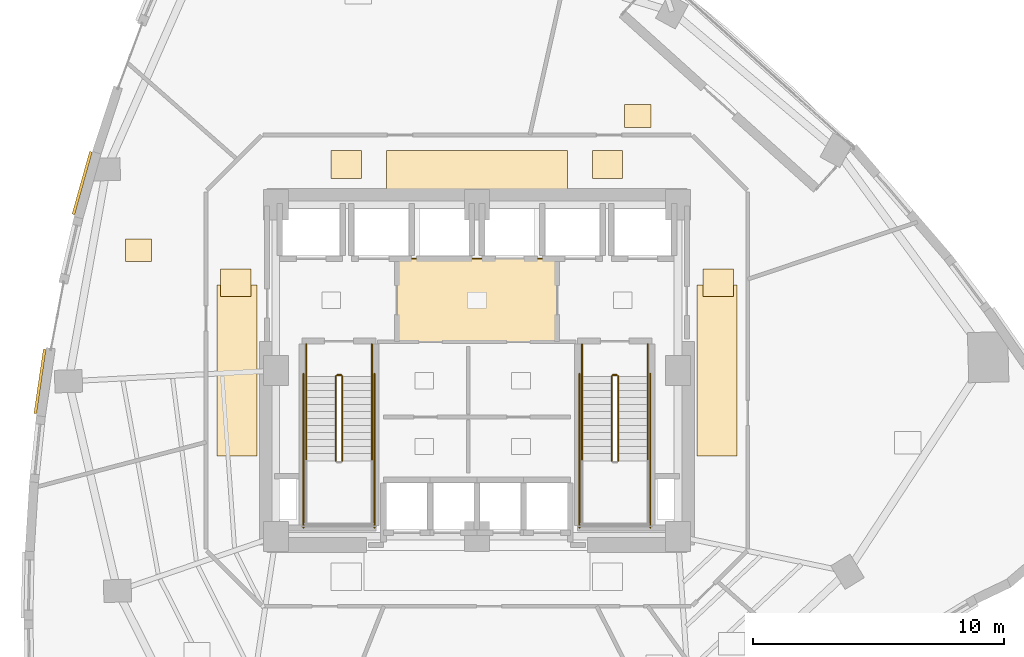
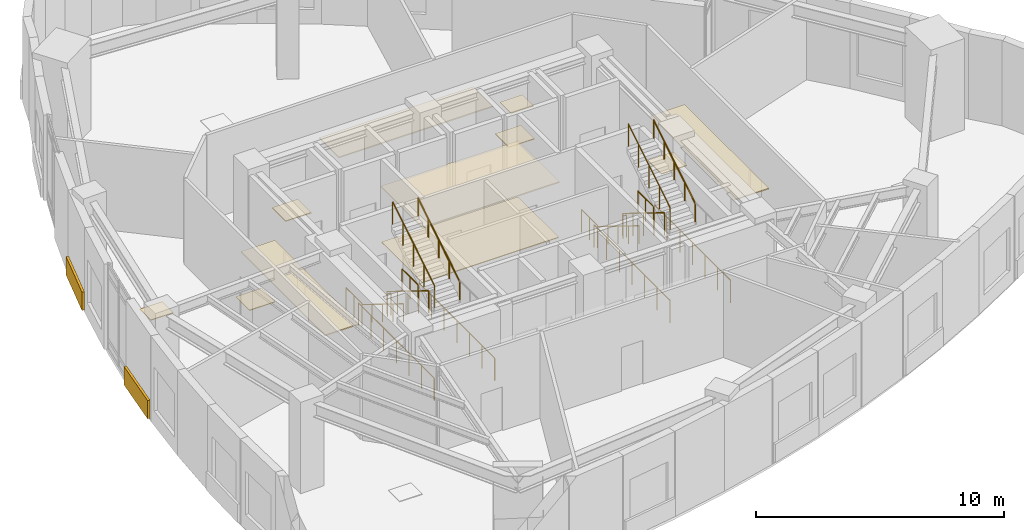
# One storey, part 18 of 19: 18 railings, 13 coverings.
"""IFC4 building model written with IfcOpenShell, lengths in metres."""

from ifc_helpers import new_model, si_unit, direction, frame, origin, origin_2d, place, context, subcontext, project, spatial, rectangle, circle, extrude, material, layer, layer_set, type_object, element, save


model = new_model("IFC4")

# Units and contexts
model_context = context("Model", 3, precision=1e-05, world=origin(), true_north=direction((0.0, 1.0)))
body_context = subcontext(model_context, "Body", "Model", "MODEL_VIEW")
ifc_project = project(units=[si_unit("LENGTHUNIT", "METRE"), si_unit("AREAUNIT", "SQUARE_METRE"), si_unit("VOLUMEUNIT", "CUBIC_METRE"), si_unit("PLANEANGLEUNIT", "RADIAN"), si_unit("MASSUNIT", "GRAM", prefix="KILO")], contexts=[model_context])

# Site, building, storey
site_placement = place(None, origin())
site = spatial("IfcSite", under=ifc_project, at=site_placement, CompositionType="ELEMENT")
building_placement = place(site_placement, origin())
building = spatial("IfcBuilding", under=site, at=building_placement, Name="Ndelora Gate Hotel", CompositionType="ELEMENT")
storey_placement = place(building_placement, frame((0.0, 0.0, 88.25)))
storey = spatial("IfcBuildingStorey", under=building, at=storey_placement, Name="L21", CompositionType="ELEMENT", Elevation=88.25)

# Coverings
ifc_material_1 = material(Name="Perforated Acoustic Gypsum Board", Category="gypsum")
ifc_layer_1 = layer(ifc_material_1, 0.054931640625)
ifc_layer_set_1 = layer_set([ifc_layer_1], Name="Perforated Acoustic Gypsum Board")
covering_type_1 = type_object("IfcCoveringType", Name="COV-CEIL-AC60", PredefinedType="CEILING", material=ifc_layer_set_1)
covering_1_placement = place(storey_placement, frame((0.0, 2.800048828125, 2.72265625), z_axis=(0.0, 0.0, 1.0), x_axis=(1.0, 0.0, 0.0)))
element("IfcCovering", 1, at=covering_1_placement, inside=storey, type_object=covering_type_1, Name="L21 Lift Lobby Acoustic Ceiling", PredefinedType="CEILING", context=body_context, shape_type="SweptSolid", body=[
    extrude(rectangle(XDim=6.39990234375, YDim=3.340087890625, at=origin_2d()), origin(), (0.0, 0.0, 1.0), 0.054931640625),
])
covering_2_placement = place(storey_placement, frame((0.0, 7.9599609375, 2.65234375), z_axis=(0.0, 0.0, 1.0), x_axis=(1.0, 0.0, 0.0)))
element("IfcCovering", 2, at=covering_2_placement, inside=storey, type_object=covering_type_1, Name="L21 Guest Corridor Acoustic Ceiling N", PredefinedType="CEILING", context=body_context, shape_type="SweptSolid", body=[
    extrude(rectangle(XDim=7.199951171875, YDim=1.580078125, at=origin_2d()), origin(), (0.0, 0.0, 1.0), 0.054931640625),
])
for number, where, z_axis, x_axis, name in (
    (3, (-9.550048828125, 0.0, 2.65234375), (0.0, 0.0, 1.0), (1.0, 0.0, 0.0), "L21 Guest Corridor Acoustic Ceiling W"),
    (4, (9.550048828125, 0.0, 2.65234375), (0.0, 0.0, 1.0), (1.0, 0.0, 0.0), "L21 Guest Corridor Acoustic Ceiling E"),
):
    element("IfcCovering", number, at=place(storey_placement, frame(where, z_axis=z_axis, x_axis=x_axis)), inside=storey, type_object=covering_type_1, Name=name, PredefinedType="CEILING", context=body_context, shape_type="SweptSolid", body=[
        extrude(rectangle(XDim=1.580078125, YDim=6.800048828125, at=origin_2d()), origin(), (0.0, 0.0, 1.0), 0.054931640625),
    ])
ifc_material_2 = material(Name="Terracotta Fired Clay Brick Slip Cladding", Category="masonry")
ifc_layer_2 = layer(ifc_material_2, 0.110107421875)
ifc_layer_set_2 = layer_set([ifc_layer_2], Name="Terracotta Fired Clay Brick Slip Cladding")
covering_type_2 = type_object("IfcCoveringType", Name="COV-CLAD-BRK", PredefinedType="CLADDING", material=ifc_layer_set_2)
for number, where, z_axis, x_axis, name in (
    (5, (-15.71240234375, 7.463134765625, 0.10009765625), (0.0, 0.0, 1.0), (0.269760236013, 0.962927523268, 0.0), "L21 Rounded-Corner Brick Cladding Band 13"),
    (6, (-17.3896484375, -0.427001953125, 0.10009765625), (0.0, 0.0, 1.0), (0.145219670077, 0.989399437751, 0.0), "L21 Rounded-Corner Brick Cladding Band 16"),
):
    element("IfcCovering", number, at=place(storey_placement, frame(where, z_axis=z_axis, x_axis=x_axis)), inside=storey, type_object=covering_type_2, Name=name, PredefinedType="CLADDING", context=body_context, shape_type="SweptSolid", body=[
        extrude(rectangle(XDim=2.583984375, YDim=0.110107421875, at=origin_2d()), origin(), (0.0, 0.0, 1.0), 0.89990234375),
    ])
ifc_material_3 = material(Name="Engineered Highland Oak Parquet", Category="wood")
ifc_layer_3 = layer(ifc_material_3, 0.030029296875)
ifc_layer_set_3 = layer_set([ifc_layer_3], Name="Engineered Highland Oak Parquet")
covering_type_3 = type_object("IfcCoveringType", Name="COV-FLR-PARQ", PredefinedType="FLOORING", material=ifc_layer_set_3)
for number, where, z_axis, x_axis, name in (
    (7, (6.4013671875, 10.13134765625, 0.0), (0.0, 0.0, 1.0), (1.0, 0.0, 0.0), "L21 Sky Garden Tea Dining Room Oak Parquet Flooring"),
    (8, (-13.468505859375, 4.79443359375, 0.0), (0.0, 0.0, 1.0), (1.0, 0.0, 0.0), "L21 Executive Transfer Office Oak Parquet Flooring"),
):
    element("IfcCovering", number, at=place(storey_placement, frame(where, z_axis=z_axis, x_axis=x_axis)), inside=storey, type_object=covering_type_3, Name=name, PredefinedType="FLOORING", context=body_context, shape_type="SweptSolid", body=[
        extrude(rectangle(XDim=1.050048828125, YDim=0.89990234375, at=origin_2d()), origin(), (0.0, 0.0, 1.0), 0.030029296875),
    ])
ifc_material_4 = material(Name="Polished Highland Stone Terrazzo", Category="masonry")
ifc_layer_4 = layer(ifc_material_4, 0.034912109375)
ifc_layer_set_4 = layer_set([ifc_layer_4], Name="Polished Highland Stone Terrazzo")
covering_type_4 = type_object("IfcCoveringType", Name="COV-FLR-TERZ", PredefinedType="FLOORING", material=ifc_layer_set_4)
for number, where, z_axis, x_axis, name in (
    (9, (-5.199951171875, 8.199951171875, 0.0), (0.0, 0.0, 1.0), (1.0, 0.0, 0.0), "L21 Corridor Threshold Terrazzo Inlay NW"),
    (10, (5.199951171875, 8.199951171875, 0.0), (0.0, 0.0, 1.0), (1.0, 0.0, 0.0), "L21 Corridor Threshold Terrazzo Inlay NE"),
    (11, (-9.60009765625, 3.5, 0.0), (0.0, 0.0, 1.0), (1.0, 0.0, 0.0), "L21 Corridor Threshold Terrazzo Inlay W"),
    (12, (9.60009765625, 3.5, 0.0), (0.0, 0.0, 1.0), (1.0, 0.0, 0.0), "L21 Corridor Threshold Terrazzo Inlay E"),
):
    element("IfcCovering", number, at=place(storey_placement, frame(where, z_axis=z_axis, x_axis=x_axis)), inside=storey, type_object=covering_type_4, Name=name, PredefinedType="FLOORING", context=body_context, shape_type="SweptSolid", body=[
        extrude(rectangle(XDim=1.199951171875, YDim=1.10009765625, at=origin_2d()), origin(), (0.0, 0.0, 1.0), 0.034912109375),
    ])
covering_3_placement = place(storey_placement, frame((0.0, 2.800048828125, 0.0), z_axis=(0.0, 0.0, 1.0), x_axis=(1.0, 0.0, 0.0)))
element("IfcCovering", 13, at=covering_3_placement, inside=storey, type_object=covering_type_4, Name="L21 Terrazzo Concourse Flooring", PredefinedType="FLOORING", context=body_context, shape_type="SweptSolid", body=[
    extrude(rectangle(XDim=6.360107421875, YDim=3.280029296875, at=origin_2d()), origin(), (0.0, 0.0, 1.0), 0.034912109375),
])

# Railings
ifc_material_5 = material(Name="Painted Galvanized Steel Balustrade", Category="steel")
ifc_layer_5 = layer(ifc_material_5, 0.06005859375)
ifc_layer_set_5 = layer_set([ifc_layer_5], Name="Painted Galvanized Steel Balustrade")
railing_type_1 = type_object("IfcRailingType", Name="RL-STAIR-GD", PredefinedType="GUARDRAIL", material=ifc_layer_set_5)
railing_1_placement = place(storey_placement, frame((-5.6201171875, -0.22998046875, 0.173095703125)))
element("IfcRailing", 14, at=railing_1_placement, inside=storey, type_object=railing_type_1, Name="L21 ST4 stair guard 1", PredefinedType="GUARDRAIL", context=body_context, shape_type="SweptSolid", body=[
    extrude(circle(Radius=0.02392578125, at=origin_2d()), frame((0.0, 0.0, 1.10595703125), z_axis=(0.0, -0.850623216509, 0.525775754039), x_axis=(1.0, 0.0, 0.0)), (0.0, 0.0, 1.0), 3.9501953125),
    extrude(circle(Radius=0.02099609375, at=origin_2d()), origin(), (0.0, 0.0, 1.0), 1.081787109375),
    extrude(circle(Radius=0.02099609375, at=origin_2d()), frame((0.0, -0.840087890625, 0.519287109375)), (0.0, 0.0, 1.0), 1.081787109375),
    extrude(circle(Radius=0.02099609375, at=origin_2d()), frame((0.0, -1.68017578125, 1.03857421875)), (0.0, 0.0, 1.0), 1.081787109375),
    extrude(circle(Radius=0.02099609375, at=origin_2d()), frame((0.0, -2.52001953125, 1.5576171875)), (0.0, 0.0, 1.0), 1.081787109375),
    extrude(circle(Radius=0.02099609375, at=origin_2d()), frame((0.0, -3.360107421875, 2.076904296875)), (0.0, 0.0, 1.0), 1.081787109375),
])
railing_2_placement = place(storey_placement, frame((-5.360107421875, -3.590087890625, 2.423095703125)))
element("IfcRailing", 15, at=railing_2_placement, inside=storey, type_object=railing_type_1, Name="L21 ST4 stair guard 6", PredefinedType="GUARDRAIL", context=body_context, shape_type="SweptSolid", body=[
    extrude(circle(Radius=0.02392578125, at=origin_2d()), frame((0.0, 0.0, 1.10595703125), z_axis=(0.0, 0.850623216509, 0.525775754039), x_axis=(-1.0, 0.0, 0.0)), (0.0, 0.0, 1.0), 3.9501953125),
    extrude(circle(Radius=0.02099609375, at=origin_2d()), origin(), (0.0, 0.0, 1.0), 1.081787109375),
    extrude(circle(Radius=0.02099609375, at=origin_2d()), frame((0.0, 0.840087890625, 0.519287109375)), (0.0, 0.0, 1.0), 1.081787109375),
    extrude(circle(Radius=0.02099609375, at=origin_2d()), frame((0.0, 1.68017578125, 1.03857421875)), (0.0, 0.0, 1.0), 1.081787109375),
    extrude(circle(Radius=0.02099609375, at=origin_2d()), frame((0.0, 2.52001953125, 1.5576171875)), (0.0, 0.0, 1.0), 1.081787109375),
    extrude(circle(Radius=0.02099609375, at=origin_2d()), frame((0.0, 3.360107421875, 2.076904296875)), (0.0, 0.0, 1.0), 1.081787109375),
])
railing_3_placement = place(storey_placement, frame((-5.570068359375, -0.179931640625, 0.0)))
element("IfcRailing", 16, at=railing_3_placement, inside=storey, type_object=railing_type_1, Name="L21 ST4 stair guard 7", PredefinedType="GUARDRAIL", context=body_context, shape_type="SweptSolid", body=[
    extrude(circle(Radius=0.02392578125, at=origin_2d()), frame((0.0, 0.0, 1.10595703125), z_axis=(1.0, 0.0, 0.0), x_axis=(0.0, 1.0, 0.0)), (0.0, 0.0, 1.0), 0.16015625),
    extrude(circle(Radius=0.02099609375, at=origin_2d()), origin(), (0.0, 0.0, 1.0), 1.081787109375),
    extrude(circle(Radius=0.02099609375, at=origin_2d()), frame((0.16015625, 0.0, 0.0)), (0.0, 0.0, 1.0), 1.081787109375),
])
for number, where, name in (
    (17, (-6.800048828125, 1.050048828125, 0.0), "L21 ST4 stair guard 8"),
    (18, (-4.179931640625, 1.050048828125, 0.0), "L21 ST4 stair guard 9"),
):
    element("IfcRailing", number, at=place(storey_placement, frame(where)), inside=storey, type_object=railing_type_1, Name=name, PredefinedType="GUARDRAIL", context=body_context, shape_type="SweptSolid", body=[
        extrude(circle(Radius=0.02392578125, at=origin_2d()), frame((0.0, 0.0, 1.10595703125), z_axis=(0.0, -1.0, 0.0), x_axis=(1.0, 0.0, 0.0)), (0.0, 0.0, 1.0), 1.280029296875),
        extrude(circle(Radius=0.02099609375, at=origin_2d()), origin(), (0.0, 0.0, 1.0), 1.081787109375),
        extrude(circle(Radius=0.02099609375, at=origin_2d()), frame((0.0, -0.64013671875, 0.0)), (0.0, 0.0, 1.0), 1.081787109375),
        extrude(circle(Radius=0.02099609375, at=origin_2d()), frame((0.0, -1.280029296875, 0.0)), (0.0, 0.0, 1.0), 1.081787109375),
    ])
for number, where, name in (
    (19, (-6.89990234375, -0.1298828125, 0.0), "L21 ST4 stair guard 10"),
    (20, (-4.080078125, -0.1298828125, 0.0), "L21 ST4 stair guard 11"),
):
    element("IfcRailing", number, at=place(storey_placement, frame(where)), inside=storey, type_object=railing_type_1, Name=name, PredefinedType="GUARDRAIL", context=body_context, shape_type="SweptSolid", body=[
        extrude(circle(Radius=0.02392578125, at=origin_2d()), frame((0.0, 0.0, 1.10595703125), z_axis=(0.0, -1.0, 0.0), x_axis=(1.0, 0.0, 0.0)), (0.0, 0.0, 1.0), 6.1201171875),
        extrude(circle(Radius=0.02099609375, at=origin_2d()), origin(), (0.0, 0.0, 1.0), 1.081787109375),
        extrude(circle(Radius=0.02099609375, at=origin_2d()), frame((0.0, -1.02001953125, 0.0)), (0.0, 0.0, 1.0), 1.081787109375),
        extrude(circle(Radius=0.02099609375, at=origin_2d()), frame((0.0, -2.0400390625, 0.0)), (0.0, 0.0, 1.0), 1.081787109375),
        extrude(circle(Radius=0.02099609375, at=origin_2d()), frame((0.0, -3.06005859375, 0.0)), (0.0, 0.0, 1.0), 1.081787109375),
        extrude(circle(Radius=0.02099609375, at=origin_2d()), frame((0.0, -4.080078125, 0.0)), (0.0, 0.0, 1.0), 1.081787109375),
        extrude(circle(Radius=0.02099609375, at=origin_2d()), frame((0.0, -5.10009765625, 0.0)), (0.0, 0.0, 1.0), 1.081787109375),
        extrude(circle(Radius=0.02099609375, at=origin_2d()), frame((0.0, -6.1201171875, 0.0)), (0.0, 0.0, 1.0), 1.081787109375),
    ])
railing_4_placement = place(storey_placement, frame((5.360107421875, -0.22998046875, 0.173095703125)))
element("IfcRailing", 21, at=railing_4_placement, inside=storey, type_object=railing_type_1, Name="L21 ST5 stair guard 1", PredefinedType="GUARDRAIL", context=body_context, shape_type="SweptSolid", body=[
    extrude(circle(Radius=0.02392578125, at=origin_2d()), frame((0.0, 0.0, 1.10595703125), z_axis=(0.0, -0.850623216509, 0.525775754039), x_axis=(1.0, 0.0, 0.0)), (0.0, 0.0, 1.0), 3.9501953125),
    extrude(circle(Radius=0.02099609375, at=origin_2d()), origin(), (0.0, 0.0, 1.0), 1.081787109375),
    extrude(circle(Radius=0.02099609375, at=origin_2d()), frame((0.0, -0.840087890625, 0.519287109375)), (0.0, 0.0, 1.0), 1.081787109375),
    extrude(circle(Radius=0.02099609375, at=origin_2d()), frame((0.0, -1.68017578125, 1.03857421875)), (0.0, 0.0, 1.0), 1.081787109375),
    extrude(circle(Radius=0.02099609375, at=origin_2d()), frame((0.0, -2.52001953125, 1.5576171875)), (0.0, 0.0, 1.0), 1.081787109375),
    extrude(circle(Radius=0.02099609375, at=origin_2d()), frame((0.0, -3.360107421875, 2.076904296875)), (0.0, 0.0, 1.0), 1.081787109375),
])
railing_5_placement = place(storey_placement, frame((5.6201171875, -3.590087890625, 2.423095703125)))
element("IfcRailing", 22, at=railing_5_placement, inside=storey, type_object=railing_type_1, Name="L21 ST5 stair guard 6", PredefinedType="GUARDRAIL", context=body_context, shape_type="SweptSolid", body=[
    extrude(circle(Radius=0.02392578125, at=origin_2d()), frame((0.0, 0.0, 1.10595703125), z_axis=(0.0, 0.850623216509, 0.525775754039), x_axis=(-1.0, 0.0, 0.0)), (0.0, 0.0, 1.0), 3.9501953125),
    extrude(circle(Radius=0.02099609375, at=origin_2d()), origin(), (0.0, 0.0, 1.0), 1.081787109375),
    extrude(circle(Radius=0.02099609375, at=origin_2d()), frame((0.0, 0.840087890625, 0.519287109375)), (0.0, 0.0, 1.0), 1.081787109375),
    extrude(circle(Radius=0.02099609375, at=origin_2d()), frame((0.0, 1.68017578125, 1.03857421875)), (0.0, 0.0, 1.0), 1.081787109375),
    extrude(circle(Radius=0.02099609375, at=origin_2d()), frame((0.0, 2.52001953125, 1.5576171875)), (0.0, 0.0, 1.0), 1.081787109375),
    extrude(circle(Radius=0.02099609375, at=origin_2d()), frame((0.0, 3.360107421875, 2.076904296875)), (0.0, 0.0, 1.0), 1.081787109375),
])
railing_6_placement = place(storey_placement, frame((5.409912109375, -0.179931640625, 0.0)))
element("IfcRailing", 23, at=railing_6_placement, inside=storey, type_object=railing_type_1, Name="L21 ST5 stair guard 7", PredefinedType="GUARDRAIL", context=body_context, shape_type="SweptSolid", body=[
    extrude(circle(Radius=0.02392578125, at=origin_2d()), frame((0.0, 0.0, 1.10595703125), z_axis=(1.0, 0.0, 0.0), x_axis=(0.0, 1.0, 0.0)), (0.0, 0.0, 1.0), 0.16015625),
    extrude(circle(Radius=0.02099609375, at=origin_2d()), origin(), (0.0, 0.0, 1.0), 1.081787109375),
    extrude(circle(Radius=0.02099609375, at=origin_2d()), frame((0.16015625, 0.0, 0.0)), (0.0, 0.0, 1.0), 1.081787109375),
])
for number, where, name in (
    (24, (4.179931640625, 1.050048828125, 0.0), "L21 ST5 stair guard 8"),
    (25, (6.800048828125, 1.050048828125, 0.0), "L21 ST5 stair guard 9"),
):
    element("IfcRailing", number, at=place(storey_placement, frame(where)), inside=storey, type_object=railing_type_1, Name=name, PredefinedType="GUARDRAIL", context=body_context, shape_type="SweptSolid", body=[
        extrude(circle(Radius=0.02392578125, at=origin_2d()), frame((0.0, 0.0, 1.10595703125), z_axis=(0.0, -1.0, 0.0), x_axis=(1.0, 0.0, 0.0)), (0.0, 0.0, 1.0), 1.280029296875),
        extrude(circle(Radius=0.02099609375, at=origin_2d()), origin(), (0.0, 0.0, 1.0), 1.081787109375),
        extrude(circle(Radius=0.02099609375, at=origin_2d()), frame((0.0, -0.64013671875, 0.0)), (0.0, 0.0, 1.0), 1.081787109375),
        extrude(circle(Radius=0.02099609375, at=origin_2d()), frame((0.0, -1.280029296875, 0.0)), (0.0, 0.0, 1.0), 1.081787109375),
    ])
for number, where, name in (
    (26, (4.080078125, -0.1298828125, 0.0), "L21 ST5 stair guard 10"),
    (27, (6.89990234375, -0.1298828125, 0.0), "L21 ST5 stair guard 11"),
):
    element("IfcRailing", number, at=place(storey_placement, frame(where)), inside=storey, type_object=railing_type_1, Name=name, PredefinedType="GUARDRAIL", context=body_context, shape_type="SweptSolid", body=[
        extrude(circle(Radius=0.02392578125, at=origin_2d()), frame((0.0, 0.0, 1.10595703125), z_axis=(0.0, -1.0, 0.0), x_axis=(1.0, 0.0, 0.0)), (0.0, 0.0, 1.0), 6.1201171875),
        extrude(circle(Radius=0.02099609375, at=origin_2d()), origin(), (0.0, 0.0, 1.0), 1.081787109375),
        extrude(circle(Radius=0.02099609375, at=origin_2d()), frame((0.0, -1.02001953125, 0.0)), (0.0, 0.0, 1.0), 1.081787109375),
        extrude(circle(Radius=0.02099609375, at=origin_2d()), frame((0.0, -2.0400390625, 0.0)), (0.0, 0.0, 1.0), 1.081787109375),
        extrude(circle(Radius=0.02099609375, at=origin_2d()), frame((0.0, -3.06005859375, 0.0)), (0.0, 0.0, 1.0), 1.081787109375),
        extrude(circle(Radius=0.02099609375, at=origin_2d()), frame((0.0, -4.080078125, 0.0)), (0.0, 0.0, 1.0), 1.081787109375),
        extrude(circle(Radius=0.02099609375, at=origin_2d()), frame((0.0, -5.10009765625, 0.0)), (0.0, 0.0, 1.0), 1.081787109375),
        extrude(circle(Radius=0.02099609375, at=origin_2d()), frame((0.0, -6.1201171875, 0.0)), (0.0, 0.0, 1.0), 1.081787109375),
    ])
ifc_material_6 = material(Name="Brushed Stainless Steel 316", Category="steel")
ifc_layer_6 = layer(ifc_material_6, 0.050048828125)
ifc_layer_set_6 = layer_set([ifc_layer_6], Name="Brushed Stainless Steel 316")
railing_type_2 = type_object("IfcRailingType", Name="RL-STAIR-HR", PredefinedType="HANDRAIL", material=ifc_layer_set_6)
railing_7_placement = place(storey_placement, frame((-6.800048828125, -0.22998046875, 0.173095703125)))
element("IfcRailing", 28, at=railing_7_placement, inside=storey, type_object=railing_type_2, Name="L21 ST4 stair handrail 1", PredefinedType="HANDRAIL", context=body_context, shape_type="SweptSolid", body=[
    extrude(circle(Radius=0.02392578125, at=origin_2d()), frame((0.0, 0.0, 0.8759765625), z_axis=(0.0, -0.850623216509, 0.525775754039), x_axis=(1.0, 0.0, 0.0)), (0.0, 0.0, 1.0), 3.9501953125),
    extrude(circle(Radius=0.02099609375, at=origin_2d()), origin(), (0.0, 0.0, 1.0), 0.851806640625),
    extrude(circle(Radius=0.02099609375, at=origin_2d()), frame((0.0, -0.840087890625, 0.519287109375)), (0.0, 0.0, 1.0), 0.851806640625),
    extrude(circle(Radius=0.02099609375, at=origin_2d()), frame((0.0, -1.68017578125, 1.03857421875)), (0.0, 0.0, 1.0), 0.851806640625),
    extrude(circle(Radius=0.02099609375, at=origin_2d()), frame((0.0, -2.52001953125, 1.5576171875)), (0.0, 0.0, 1.0), 0.851806640625),
    extrude(circle(Radius=0.02099609375, at=origin_2d()), frame((0.0, -3.360107421875, 2.076904296875)), (0.0, 0.0, 1.0), 0.851806640625),
])
railing_8_placement = place(storey_placement, frame((-4.179931640625, -3.590087890625, 2.423095703125)))
element("IfcRailing", 29, at=railing_8_placement, inside=storey, type_object=railing_type_2, Name="L21 ST4 stair handrail 2", PredefinedType="HANDRAIL", context=body_context, shape_type="SweptSolid", body=[
    extrude(circle(Radius=0.02392578125, at=origin_2d()), frame((0.0, 0.0, 0.8759765625), z_axis=(0.0, 0.850623216509, 0.525775754039), x_axis=(-1.0, 0.0, 0.0)), (0.0, 0.0, 1.0), 3.9501953125),
    extrude(circle(Radius=0.02099609375, at=origin_2d()), origin(), (0.0, 0.0, 1.0), 0.851806640625),
    extrude(circle(Radius=0.02099609375, at=origin_2d()), frame((0.0, 0.840087890625, 0.519287109375)), (0.0, 0.0, 1.0), 0.851806640625),
    extrude(circle(Radius=0.02099609375, at=origin_2d()), frame((0.0, 1.68017578125, 1.03857421875)), (0.0, 0.0, 1.0), 0.851806640625),
    extrude(circle(Radius=0.02099609375, at=origin_2d()), frame((0.0, 2.52001953125, 1.5576171875)), (0.0, 0.0, 1.0), 0.851806640625),
    extrude(circle(Radius=0.02099609375, at=origin_2d()), frame((0.0, 3.360107421875, 2.076904296875)), (0.0, 0.0, 1.0), 0.851806640625),
])
railing_9_placement = place(storey_placement, frame((4.179931640625, -0.22998046875, 0.173095703125)))
element("IfcRailing", 30, at=railing_9_placement, inside=storey, type_object=railing_type_2, Name="L21 ST5 stair handrail 1", PredefinedType="HANDRAIL", context=body_context, shape_type="SweptSolid", body=[
    extrude(circle(Radius=0.02392578125, at=origin_2d()), frame((0.0, 0.0, 0.8759765625), z_axis=(0.0, -0.850623216509, 0.525775754039), x_axis=(1.0, 0.0, 0.0)), (0.0, 0.0, 1.0), 3.9501953125),
    extrude(circle(Radius=0.02099609375, at=origin_2d()), origin(), (0.0, 0.0, 1.0), 0.851806640625),
    extrude(circle(Radius=0.02099609375, at=origin_2d()), frame((0.0, -0.840087890625, 0.519287109375)), (0.0, 0.0, 1.0), 0.851806640625),
    extrude(circle(Radius=0.02099609375, at=origin_2d()), frame((0.0, -1.68017578125, 1.03857421875)), (0.0, 0.0, 1.0), 0.851806640625),
    extrude(circle(Radius=0.02099609375, at=origin_2d()), frame((0.0, -2.52001953125, 1.5576171875)), (0.0, 0.0, 1.0), 0.851806640625),
    extrude(circle(Radius=0.02099609375, at=origin_2d()), frame((0.0, -3.360107421875, 2.076904296875)), (0.0, 0.0, 1.0), 0.851806640625),
])
railing_10_placement = place(storey_placement, frame((6.800048828125, -3.590087890625, 2.423095703125)))
element("IfcRailing", 31, at=railing_10_placement, inside=storey, type_object=railing_type_2, Name="L21 ST5 stair handrail 2", PredefinedType="HANDRAIL", context=body_context, shape_type="SweptSolid", body=[
    extrude(circle(Radius=0.02392578125, at=origin_2d()), frame((0.0, 0.0, 0.8759765625), z_axis=(0.0, 0.850623216509, 0.525775754039), x_axis=(-1.0, 0.0, 0.0)), (0.0, 0.0, 1.0), 3.9501953125),
    extrude(circle(Radius=0.02099609375, at=origin_2d()), origin(), (0.0, 0.0, 1.0), 0.851806640625),
    extrude(circle(Radius=0.02099609375, at=origin_2d()), frame((0.0, 0.840087890625, 0.519287109375)), (0.0, 0.0, 1.0), 0.851806640625),
    extrude(circle(Radius=0.02099609375, at=origin_2d()), frame((0.0, 1.68017578125, 1.03857421875)), (0.0, 0.0, 1.0), 0.851806640625),
    extrude(circle(Radius=0.02099609375, at=origin_2d()), frame((0.0, 2.52001953125, 1.5576171875)), (0.0, 0.0, 1.0), 0.851806640625),
    extrude(circle(Radius=0.02099609375, at=origin_2d()), frame((0.0, 3.360107421875, 2.076904296875)), (0.0, 0.0, 1.0), 0.851806640625),
])

save(model, "model.ifc")
